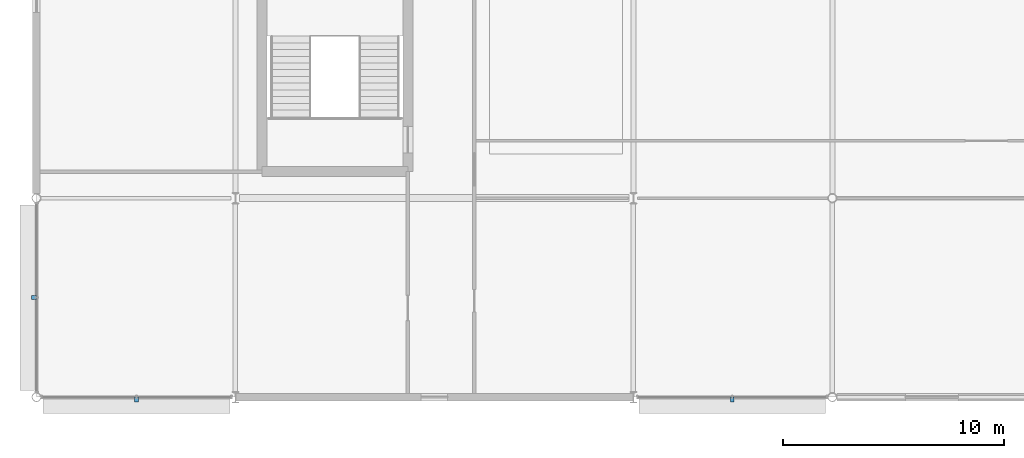
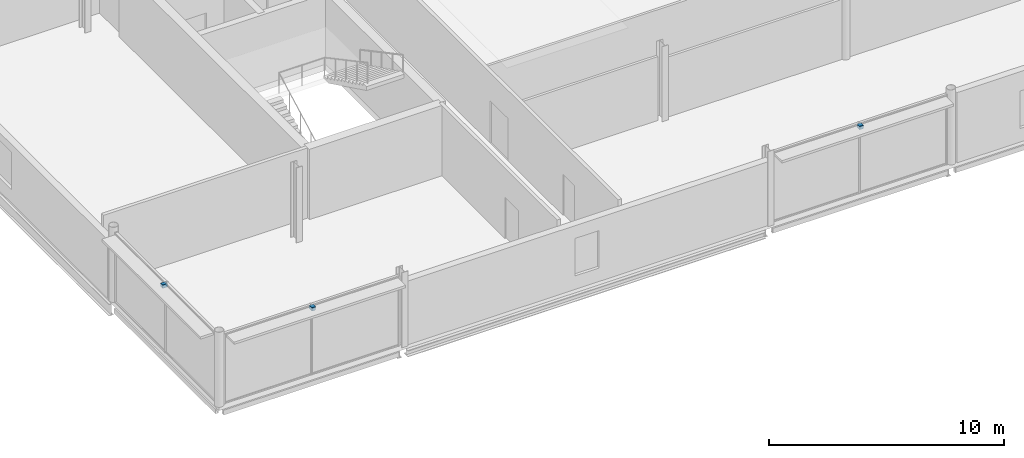
# One storey, part 65 of 96: 3 discrete accessories.
"""IFC4 building model written with IfcOpenShell, lengths in metres."""

import ifcopenshell
import ifcopenshell.guid

model = None  # the IFC model being written
_history = None  # IfcOwnerHistory: only IFC2X3 demands one
_inside = {}  # id of a spatial element -> (the spatial element, [elements in it])
_under = {}  # id of a project, library or spatial element -> (it, [spatial elements below it])
_declared = {}  # id of a project -> (the project, [libraries it declares])
_typed = {}  # id of a type object -> (the type object, [elements of that type])
_made_of = {}  # id of a material, layer set ... -> (it, [elements and type objects made of it])


def new_model(schema):
    """Start an empty IFC model of exactly this schema.

    Asked for "IFC4X3", IfcOpenShell would pick the latest addendum, in which some entities
    have other attributes; the version numbers below select the first issue.
    IFC2X3 requires an IfcOwnerHistory on every rooted entity: one is made here for all.
    """
    global model, _history
    if schema == "IFC4X3":
        model = ifcopenshell.file(schema_version=(4, 3, 0, 0))
    else:
        model = ifcopenshell.file(schema=schema)
    _inside.clear()
    _under.clear()
    _declared.clear()
    _typed.clear()
    _made_of.clear()
    _history = None
    if model.schema == "IFC2X3":
        org = make("IfcOrganization", Name="unknown")
        user = make(
            "IfcPersonAndOrganization",
            ThePerson=make("IfcPerson", FamilyName="unknown"),
            TheOrganization=org,
        )
        app = make(
            "IfcApplication",
            ApplicationDeveloper=org,
            Version="unknown",
            ApplicationFullName="unknown",
            ApplicationIdentifier="unknown",
        )
        _history = make(
            "IfcOwnerHistory",
            OwningUser=user,
            OwningApplication=app,
            ChangeAction="ADDED",
            CreationDate=0,
        )
    return model


def make(cls, **values):
    """One entity of the class cls with the attributes given. An attribute that is None is left unset."""
    return model.create_entity(
        cls, **{name: value for name, value in values.items() if value is not None}
    )


def rooted(cls, **values):
    """An entity with a GlobalId (a new one), such as an element, a storey or a relation."""
    return make(cls, GlobalId=ifcopenshell.guid.new(), OwnerHistory=_history, **values)


def si_unit(unit_type, name, prefix=None):
    """IfcSIUnit, for example si_unit("LENGTHUNIT", "METRE", prefix="MILLI")."""
    return make("IfcSIUnit", UnitType=unit_type, Prefix=prefix, Name=name)


def assignment(units):
    """IfcUnitAssignment: the units of a project."""
    return None if units is None else make("IfcUnitAssignment", Units=units)


def point(xyz):
    """IfcCartesianPoint."""
    return None if xyz is None else make("IfcCartesianPoint", Coordinates=xyz)


def direction(xyz):
    """IfcDirection."""
    return None if xyz is None else make("IfcDirection", DirectionRatios=xyz)


def frame(location, z_axis=None, x_axis=None):
    """IfcAxis2Placement3D, a coordinate frame: its origin and axes. An axis left out is left unset."""
    return make(
        "IfcAxis2Placement3D",
        Location=point(location),
        Axis=direction(z_axis),
        RefDirection=direction(x_axis),
    )


def frame_2d(location, x_axis=None):
    """IfcAxis2Placement2D, a coordinate frame in the plane: its origin and x axis."""
    return make(
        "IfcAxis2Placement2D", Location=point(location), RefDirection=direction(x_axis)
    )


def origin():
    """The frame at (0, 0, 0) with its axes left unset."""
    return frame((0.0, 0.0, 0.0))


def origin_2d():
    """The frame at (0, 0) in the plane with its x axis left unset."""
    return frame_2d((0.0, 0.0))


def place(relative_to, where):
    """IfcLocalPlacement: puts the frame where relative to a parent placement (None: the world)."""
    return make(
        "IfcLocalPlacement", PlacementRelTo=relative_to, RelativePlacement=where
    )


def context(
    kind, dimensions, precision=None, world=None, true_north=None, identifier=None
):
    """IfcGeometricRepresentationContext, for example the 3D "Model" context."""
    return make(
        "IfcGeometricRepresentationContext",
        ContextIdentifier=identifier,
        ContextType=kind,
        CoordinateSpaceDimension=dimensions,
        Precision=precision,
        WorldCoordinateSystem=world,
        TrueNorth=true_north,
    )


def subcontext(parent, identifier, kind, view, scale=None):
    """IfcGeometricRepresentationSubContext, for example "Body" below "Model"."""
    return make(
        "IfcGeometricRepresentationSubContext",
        ContextIdentifier=identifier,
        ContextType=kind,
        ParentContext=parent,
        TargetScale=scale,
        TargetView=view,
    )


def project(units=None, contexts=None):
    """IfcProject with its units and contexts."""
    return rooted(
        "IfcProject",
        Name="project",
        RepresentationContexts=contexts,
        UnitsInContext=assignment(units),
    )


def spatial(cls, under=None, at=None, **own):
    """A site, building, storey or space (cls), placed at a placement, below another one or the project."""
    s = rooted(cls, ObjectPlacement=at, **own)
    if under is not None:
        _under.setdefault(under.id(), (under, []))[1].append(s)
    return s


def profile(cls, at=None, kind="AREA", **sizes):
    """A parametric profile (cls). Its sizes go by their IFC names, for example OverallWidth=200.0."""
    return make(cls, ProfileType=kind, Position=at, **sizes)


def rectangle(**sizes):
    """IfcRectangleProfileDef."""
    return profile("IfcRectangleProfileDef", **sizes)


def extrude(swept, where, along, depth):
    """IfcExtrudedAreaSolid: the profile swept, set in the frame where, extruded along a direction by depth."""
    return make(
        "IfcExtrudedAreaSolid",
        SweptArea=swept,
        Position=where,
        ExtrudedDirection=direction(along),
        Depth=depth,
    )


def shape(context_of_items, identifier, shape_type, items):
    """IfcShapeRepresentation: the items that make up one representation, for example the "Body"."""
    return make(
        "IfcShapeRepresentation",
        ContextOfItems=context_of_items,
        RepresentationIdentifier=identifier,
        RepresentationType=shape_type,
        Items=items,
    )


def material(Name=None, Category=None):
    """IfcMaterial."""
    return make("IfcMaterial", Name=Name, Category=Category)


def made_of(thing, what):
    """Note that an element or type object is made of a material, layer set ...; save() writes the relation."""
    if what is not None:
        _made_of.setdefault(what.id(), (what, []))[1].append(thing)
    return thing


def type_object(cls, material=None, **own):
    """A type object (cls), such as IfcWallType, which elements share."""
    return made_of(rooted(cls, **own), material)


def element(
    cls,
    number,
    at=None,
    inside=None,
    cuts=None,
    type_object=None,
    material=None,
    context=None,
    identifier="Body",
    shape_type=None,
    held_by="IfcProductDefinitionShape",
    body=None,
    shapes=None,
    **own,
):
    """One element of the class cls, such as IfcWall. Its Tag is "e" and its number.

    at: its placement. inside: the storey or other place that contains it. cuts: it is an
    opening in that element (IfcRelVoidsElement). A single representation is given by context,
    identifier, shape_type and body (its items); several are given by shapes. held_by: the class
    of the entity that holds the representations. save() writes the other relations.
    """
    e = rooted(cls, Tag="e%d" % number, ObjectPlacement=at, **own)
    if body is not None:
        shapes = [shape(context, identifier, shape_type, body)]
    if shapes is not None:
        e.Representation = make(held_by, Representations=shapes)
    if inside is not None:
        _inside.setdefault(inside.id(), (inside, []))[1].append(e)
    if cuts is not None:
        rooted(
            "IfcRelVoidsElement", RelatingBuildingElement=cuts, RelatedOpeningElement=e
        )
    if type_object is not None:
        _typed.setdefault(type_object.id(), (type_object, []))[1].append(e)
    return made_of(e, material)


def aggregate(whole, parts):
    """IfcRelAggregates: a whole, such as a stair, and the parts it consists of."""
    return rooted("IfcRelAggregates", RelatingObject=whole, RelatedObjects=parts)


def save(model, path):
    """Write the relations noted so far, then the file.

    IfcRelAggregates (storeys below a building ...), IfcRelContainedInSpatialStructure (elements
    in a storey), IfcRelDefinesByType, IfcRelAssociatesMaterial and IfcRelDeclares: one each for
    every whole, place, type object, material and project.
    """
    for whole, parts in _under.values():
        aggregate(whole, parts)
    for where, things in _inside.values():
        rooted(
            "IfcRelContainedInSpatialStructure",
            RelatedElements=things,
            RelatingStructure=where,
        )
    for kind, things in _typed.values():
        rooted("IfcRelDefinesByType", RelatedObjects=things, RelatingType=kind)
    for what, things in _made_of.values():
        rooted("IfcRelAssociatesMaterial", RelatedObjects=things, RelatingMaterial=what)
    for by, libraries in _declared.values():
        rooted("IfcRelDeclares", RelatingContext=by, RelatedDefinitions=libraries)
    model.write(path)


model = new_model("IFC4")

# Units and contexts
model_context = context("Model", 3, precision=1e-05, world=origin(), true_north=direction((0.0, 1.0)))
body_context = subcontext(model_context, "Body", "Model", "MODEL_VIEW")
ifc_project = project(units=[si_unit("LENGTHUNIT", "METRE"), si_unit("AREAUNIT", "SQUARE_METRE"), si_unit("VOLUMEUNIT", "CUBIC_METRE"), si_unit("PLANEANGLEUNIT", "RADIAN"), si_unit("MASSUNIT", "GRAM", prefix="KILO")], contexts=[model_context])

# Site, building, storey
site_placement = place(None, origin())
site = spatial("IfcSite", under=ifc_project, at=site_placement, CompositionType="ELEMENT")
building_placement = place(site_placement, origin())
building = spatial("IfcBuilding", under=site, at=building_placement, Name="Kisiwana Market Hall", CompositionType="ELEMENT")
storey_placement = place(building_placement, frame((0.0, 0.0, 25.5)))
storey = spatial("IfcBuildingStorey", under=building, at=storey_placement, Name="L05", CompositionType="ELEMENT", Elevation=25.5)

# Discrete accessories
ifc_material = material(Name="Steel S355", Category="steel")
discrete_accessory_type = type_object("IfcDiscreteAccessoryType", Name="ACC-BRACKET-STL", PredefinedType="BRACKET", material=ifc_material)
for number, where, z_axis, x_axis, name in (
    (1, (4.526611328125, 8.889892578125, 3.44482421875), (0.0, 0.0, 1.0), (1.0, 0.0, 0.0), "Sunshade steel bracket BRK-076"),
    (2, (31.473388671875, 8.889892578125, 3.44482421875), (0.0, 0.0, 1.0), (1.0, 0.0, 0.0), "Sunshade steel bracket BRK-077"),
    (3, (-0.110107421875, 13.5, 3.44482421875), (0.0, 0.0, 1.0), (0.0, 1.0, 0.0), "Sunshade steel bracket BRK-091"),
):
    element("IfcDiscreteAccessory", number, at=place(storey_placement, frame(where, z_axis=z_axis, x_axis=x_axis)), inside=storey, type_object=discrete_accessory_type, Name=name, PredefinedType="BRACKET", context=body_context, shape_type="SweptSolid", body=[
        extrude(rectangle(XDim=0.179931640625, YDim=0.239990234375, at=origin_2d()), origin(), (0.0, 0.0, 1.0), 0.179931640625),
    ])

save(model, "model.ifc")
